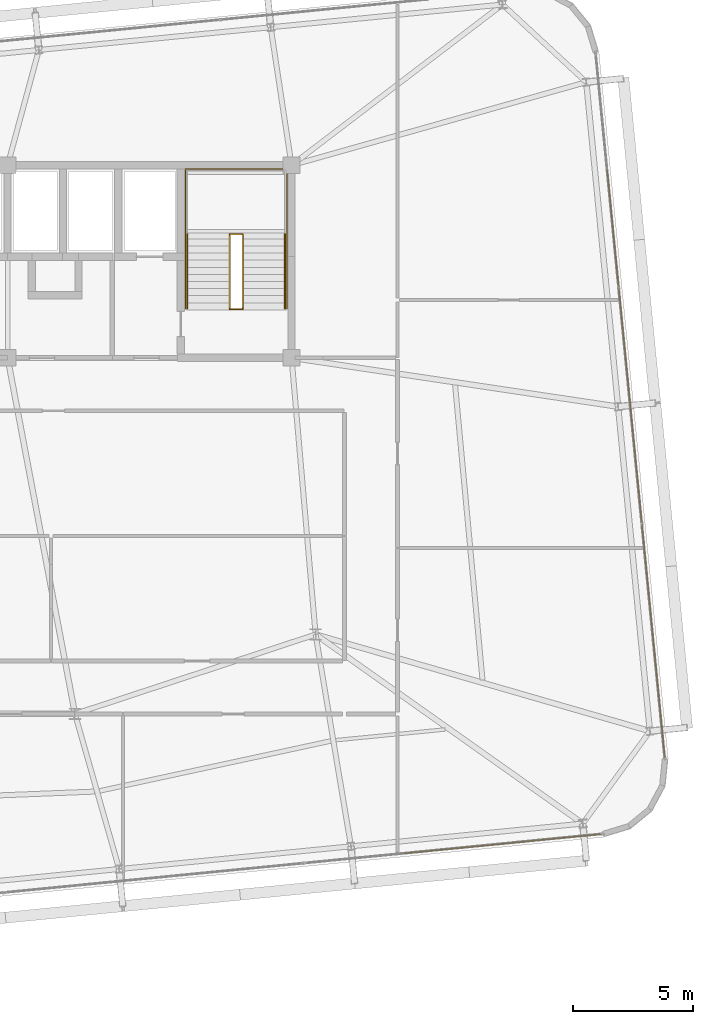
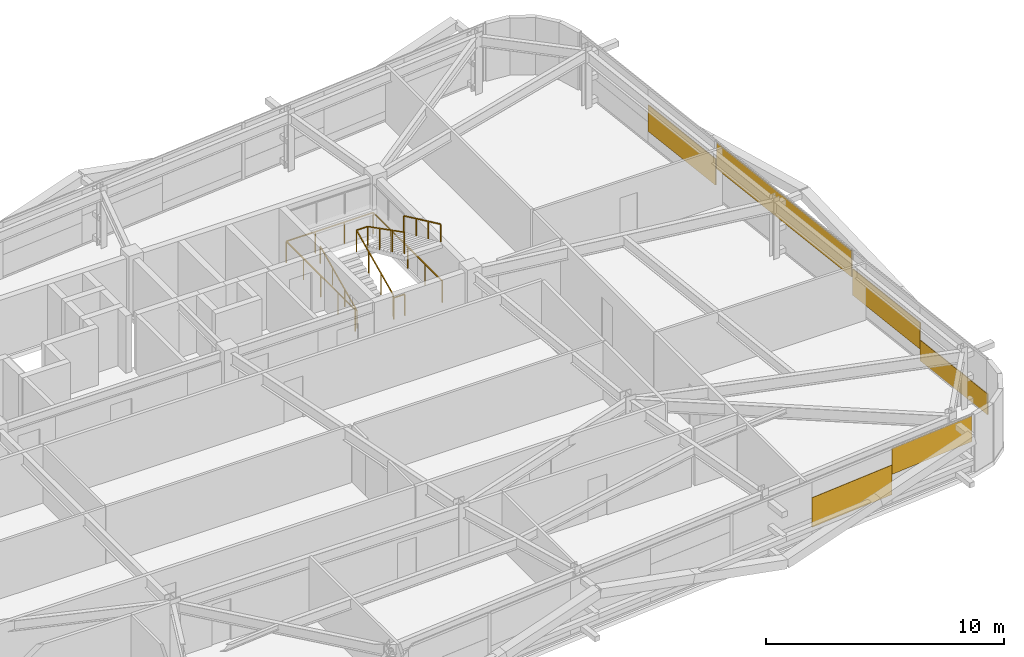
# One storey, part 46 of 47: 6 coverings, 5 railings.
"""IFC4 building model written with IfcOpenShell, lengths in metres."""

from ifc_helpers import new_model, si_unit, direction, frame, origin, origin_2d, place, context, subcontext, project, spatial, rectangle, extrude, source, transform, mapped, material, layer, layer_set, type_object, element, save


model = new_model("IFC4")

# Units and contexts
model_context = context("Model", 3, precision=1e-05, world=origin(), true_north=direction((0.0, 1.0)))
body_context = subcontext(model_context, "Body", "Model", "MODEL_VIEW")
ifc_project = project(units=[si_unit("LENGTHUNIT", "METRE"), si_unit("AREAUNIT", "SQUARE_METRE"), si_unit("VOLUMEUNIT", "CUBIC_METRE"), si_unit("PLANEANGLEUNIT", "RADIAN"), si_unit("MASSUNIT", "GRAM", prefix="KILO")], contexts=[model_context])

# Site, building, storey
site_placement = place(None, origin())
site = spatial("IfcSite", under=ifc_project, at=site_placement, CompositionType="ELEMENT")
building_placement = place(site_placement, origin())
building = spatial("IfcBuilding", under=site, at=building_placement, Name="Taldren Reach Tower", CompositionType="ELEMENT")
storey_placement = place(building_placement, frame((0.0, 0.0, 87.14990234375)))
storey = spatial("IfcBuildingStorey", under=building, at=storey_placement, Name="L26", CompositionType="ELEMENT", Elevation=87.14990234375)

# Railings
ifc_material_1 = material(Name="Steel Gr 350 (C350L0)", Category="steel")
ifc_layer_1 = layer(ifc_material_1, 0.050048828125)
ifc_layer_set_1 = layer_set([ifc_layer_1], Name="Steel Gr 350 (C350L0)")
railing_type_1 = type_object("IfcRailingType", Name="RL-STAIR-GR", PredefinedType="GUARDRAIL", material=ifc_layer_set_1)
railing_1_placement = place(storey_placement, frame((48.429931640625, 26.050048828125, 0.13134765625)))
element("IfcRailing", 1, at=railing_1_placement, inside=storey, type_object=railing_type_1, Name="Stairwell inner guard ST2-L26", PredefinedType="GUARDRAIL", context=body_context, shape_type="SweptSolid", body=[
    extrude(rectangle(XDim=0.047852, YDim=0.047852, at=origin_2d()), frame((0.0, 0.0, 1.09619140625), z_axis=(0.0, 0.905710134349, 0.423897573167), x_axis=(-1.0, 0.0, 0.0)), (0.0, 0.0, 1.0), 3.406005859375),
    extrude(rectangle(XDim=0.047852, YDim=0.047852, at=origin_2d()), frame((0.0, 3.0849609375, 2.5400390625), z_axis=(1.0, 0.0, 0.0), x_axis=(0.0, 1.0, 0.0)), (0.0, 0.0, 1.0), 0.5400390625),
    extrude(rectangle(XDim=0.047852, YDim=0.047852, at=origin_2d()), frame((0.5400390625, 3.0849609375, 2.5400390625), z_axis=(0.0, -0.890645957773, 0.45469745755), x_axis=(1.0, 0.0, 0.0)), (0.0, 0.0, 1.0), 3.463623046875),
    extrude(rectangle(XDim=0.041992, YDim=0.041992, at=origin_2d()), origin(), (0.0, 0.0, 1.0), 1.072021484375),
    extrude(rectangle(XDim=0.041992, YDim=0.041992, at=origin_2d()), frame((0.0, 1.0283203125, 0.481201171875)), (0.0, 0.0, 1.0), 1.072021484375),
    extrude(rectangle(XDim=0.041992, YDim=0.041992, at=origin_2d()), frame((0.0, 2.056640625, 0.962646484375)), (0.0, 0.0, 1.0), 1.072021484375),
    extrude(rectangle(XDim=0.041992, YDim=0.041992, at=origin_2d()), frame((0.0, 3.0849609375, 1.44384765625)), (0.0, 0.0, 1.0), 1.072021484375),
    extrude(rectangle(XDim=0.041992, YDim=0.041992, at=origin_2d()), frame((0.5400390625, 3.0849609375, 1.44384765625)), (0.0, 0.0, 1.0), 1.072021484375),
    extrude(rectangle(XDim=0.041992, YDim=0.041992, at=origin_2d()), frame((0.5400390625, 2.056640625, 1.96875)), (0.0, 0.0, 1.0), 1.072021484375),
    extrude(rectangle(XDim=0.041992, YDim=0.041992, at=origin_2d()), frame((0.5400390625, 1.0283203125, 2.493896484375)), (0.0, 0.0, 1.0), 1.072021484375),
    extrude(rectangle(XDim=0.041992, YDim=0.041992, at=origin_2d()), frame((0.5400390625, 0.0, 3.018798828125)), (0.0, 0.0, 1.0), 1.072021484375),
])
railing_2_placement = place(storey_placement, frame((48.429931640625, 26.010009765625, 0.0)))
element("IfcRailing", 2, at=railing_2_placement, inside=storey, type_object=railing_type_1, Name="Stairwell landing slot guard ST2-L26", PredefinedType="GUARDRAIL", context=body_context, shape_type="SweptSolid", body=[
    extrude(rectangle(XDim=0.047852, YDim=0.047852, at=origin_2d()), frame((0.0, 0.0, 1.09619140625), z_axis=(1.0, 0.0, 0.0), x_axis=(0.0, 1.0, 0.0)), (0.0, 0.0, 1.0), 0.5400390625),
    extrude(rectangle(XDim=0.041992, YDim=0.041992, at=origin_2d()), origin(), (0.0, 0.0, 1.0), 1.072021484375),
    extrude(rectangle(XDim=0.041992, YDim=0.041992, at=origin_2d()), frame((0.5400390625, 0.0, 0.0)), (0.0, 0.0, 1.0), 1.072021484375),
])
railing_3_placement = place(storey_placement, frame((46.590087890625, 26.050048828125, 0.0)))
element("IfcRailing", 3, at=railing_3_placement, inside=storey, type_object=railing_type_1, Name="Stairwell floor opening guard ST2-L26", PredefinedType="GUARDRAIL", context=body_context, shape_type="SweptSolid", body=[
    extrude(rectangle(XDim=0.047852, YDim=0.047852, at=origin_2d()), frame((0.0, 0.0, 1.09619140625), z_axis=(0.0, 1.0, 0.0), x_axis=(-1.0, 0.0, 0.0)), (0.0, 0.0, 1.0), 5.800048828125),
    extrude(rectangle(XDim=0.047852, YDim=0.047852, at=origin_2d()), frame((0.0, 5.800048828125, 1.09619140625), z_axis=(1.0, 0.0, 0.0), x_axis=(0.0, 1.0, 0.0)), (0.0, 0.0, 1.0), 4.219970703125),
    extrude(rectangle(XDim=0.047852, YDim=0.047852, at=origin_2d()), frame((4.219970703125, 5.800048828125, 1.09619140625), z_axis=(0.0, -1.0, 0.0), x_axis=(1.0, 0.0, 0.0)), (0.0, 0.0, 1.0), 5.800048828125),
    extrude(rectangle(XDim=0.041992, YDim=0.041992, at=origin_2d()), origin(), (0.0, 0.0, 1.0), 1.072021484375),
    extrude(rectangle(XDim=0.041992, YDim=0.041992, at=origin_2d()), frame((0.0, 1.449951171875, 0.0)), (0.0, 0.0, 1.0), 1.072021484375),
    extrude(rectangle(XDim=0.041992, YDim=0.041992, at=origin_2d()), frame((0.0, 2.89990234375, 0.0)), (0.0, 0.0, 1.0), 1.072021484375),
    extrude(rectangle(XDim=0.041992, YDim=0.041992, at=origin_2d()), frame((0.0, 4.35009765625, 0.0)), (0.0, 0.0, 1.0), 1.072021484375),
    extrude(rectangle(XDim=0.041992, YDim=0.041992, at=origin_2d()), frame((0.0, 5.800048828125, 0.0)), (0.0, 0.0, 1.0), 1.072021484375),
    extrude(rectangle(XDim=0.041992, YDim=0.041992, at=origin_2d()), frame((1.40673828125, 5.800048828125, 0.0)), (0.0, 0.0, 1.0), 1.072021484375),
    extrude(rectangle(XDim=0.041992, YDim=0.041992, at=origin_2d()), frame((2.813232421875, 5.800048828125, 0.0)), (0.0, 0.0, 1.0), 1.072021484375),
    extrude(rectangle(XDim=0.041992, YDim=0.041992, at=origin_2d()), frame((4.219970703125, 5.800048828125, 0.0)), (0.0, 0.0, 1.0), 1.072021484375),
    extrude(rectangle(XDim=0.041992, YDim=0.041992, at=origin_2d()), frame((4.219970703125, 4.35009765625, 0.0)), (0.0, 0.0, 1.0), 1.072021484375),
    extrude(rectangle(XDim=0.041992, YDim=0.041992, at=origin_2d()), frame((4.219970703125, 2.89990234375, 0.0)), (0.0, 0.0, 1.0), 1.072021484375),
    extrude(rectangle(XDim=0.041992, YDim=0.041992, at=origin_2d()), frame((4.219970703125, 1.449951171875, 0.0)), (0.0, 0.0, 1.0), 1.072021484375),
    extrude(rectangle(XDim=0.041992, YDim=0.041992, at=origin_2d()), frame((4.219970703125, 0.0, 0.0)), (0.0, 0.0, 1.0), 1.072021484375),
])
ifc_material_2 = material(Name="Stainless Steel Gr 316", Category="steel")
ifc_layer_2 = layer(ifc_material_2, 0.048095703125)
ifc_layer_set_2 = layer_set([ifc_layer_2], Name="Stainless Steel Gr 316")
railing_type_2 = type_object("IfcRailingType", Name="RL-STAIR-HR", PredefinedType="HANDRAIL", material=ifc_layer_set_2)
railing_4_placement = place(storey_placement, frame((46.669921875, 26.050048828125, 0.13134765625)))
element("IfcRailing", 4, at=railing_4_placement, inside=storey, type_object=railing_type_2, Name="Stair flight handrail ST2-L26-1", PredefinedType="HANDRAIL", context=body_context, shape_type="SweptSolid", body=[
    extrude(rectangle(XDim=0.047852, YDim=0.047852, at=origin_2d()), frame((0.0, 0.0, 0.89599609375), z_axis=(0.0, 0.905710134349, 0.423897573167), x_axis=(-1.0, 0.0, 0.0)), (0.0, 0.0, 1.0), 3.406005859375),
    extrude(rectangle(XDim=0.041992, YDim=0.041992, at=origin_2d()), origin(), (0.0, 0.0, 1.0), 0.871826171875),
    extrude(rectangle(XDim=0.041992, YDim=0.041992, at=origin_2d()), frame((0.0, 1.0283203125, 0.481201171875)), (0.0, 0.0, 1.0), 0.871826171875),
    extrude(rectangle(XDim=0.041992, YDim=0.041992, at=origin_2d()), frame((0.0, 2.056640625, 0.962646484375)), (0.0, 0.0, 1.0), 0.871826171875),
    extrude(rectangle(XDim=0.041992, YDim=0.041992, at=origin_2d()), frame((0.0, 3.0849609375, 1.44384765625)), (0.0, 0.0, 1.0), 0.871826171875),
])
railing_5_placement = place(storey_placement, frame((50.72998046875, 29.135009765625, 1.706298828125)))
element("IfcRailing", 5, at=railing_5_placement, inside=storey, type_object=railing_type_2, Name="Stair flight handrail ST2-L26-2", PredefinedType="HANDRAIL", context=body_context, shape_type="SweptSolid", body=[
    extrude(rectangle(XDim=0.047852, YDim=0.047852, at=origin_2d()), frame((0.0, 0.0, 0.89599609375), z_axis=(0.0, -0.905710134349, 0.423897573167), x_axis=(1.0, 0.0, 0.0)), (0.0, 0.0, 1.0), 3.406005859375),
    extrude(rectangle(XDim=0.041992, YDim=0.041992, at=origin_2d()), origin(), (0.0, 0.0, 1.0), 0.871826171875),
    extrude(rectangle(XDim=0.041992, YDim=0.041992, at=origin_2d()), frame((0.0, -1.0283203125, 0.481201171875)), (0.0, 0.0, 1.0), 0.871826171875),
    extrude(rectangle(XDim=0.041992, YDim=0.041992, at=origin_2d()), frame((0.0, -2.056640625, 0.962646484375)), (0.0, 0.0, 1.0), 0.871826171875),
    extrude(rectangle(XDim=0.041992, YDim=0.041992, at=origin_2d()), frame((0.0, -3.0849609375, 1.44384765625)), (0.0, 0.0, 1.0), 0.871826171875),
])

# Coverings
ifc_material_3 = material(Name="Pale Champagne Fluoropolymer Aluminium Spandrel Cladding", Category="aluminium")
ifc_layer_3 = layer(ifc_material_3, 0.0439453125)
ifc_layer_set_3 = layer_set([ifc_layer_3], Name="Pale Champagne Fluoropolymer Aluminium Spandrel Cladding")
covering_type = type_object("IfcCoveringType", Name="CV-CLAD-044", PredefinedType="CLADDING", material=ifc_layer_set_3)
shared_shape_1 = source(origin(), body_context, "Body", "SweptSolid", [
    extrude(rectangle(XDim=4.13427734375, YDim=0.0439453125, at=origin_2d()), origin(), (0.0, 0.0, 1.0), 1.52197265625),
])
covering_1_placement = place(storey_placement, frame((57.712890625, 3.60205078125, 0.516845703125), z_axis=(0.0, 0.0, 1.0), x_axis=(0.995227390247, 0.097582999046, 0.0)))
element("IfcCovering", 6, at=covering_1_placement, inside=storey, type_object=covering_type, Name="Diagrid closure cladding strip CW-3 panel 4.1 2", PredefinedType="CLADDING", context=body_context, shape_type="MappedRepresentation", body=[
    mapped(shared_shape_1, transform((0.0, 0.0, 0.0), scale=1.0)),
])
shared_shape_2 = source(origin(), body_context, "Body", "SweptSolid", [
    extrude(rectangle(XDim=4.13427734375, YDim=0.0439453125, at=origin_2d()), origin(), (0.0, 0.0, 1.0), 1.320556640625),
])
covering_2_placement = place(storey_placement, frame((61.8271484375, 4.005615234375, 1.5546875), z_axis=(0.0, 0.0, 1.0), x_axis=(0.995227390247, 0.097582999046, 0.0)))
element("IfcCovering", 7, at=covering_2_placement, inside=storey, type_object=covering_type, Name="Diagrid closure cladding strip CW-3 panel 4.1 3", PredefinedType="CLADDING", context=body_context, shape_type="MappedRepresentation", body=[
    mapped(shared_shape_2, transform((0.0, 0.0, 0.0), scale=1.0)),
])
shared_shape_3 = source(origin(), body_context, "Body", "SweptSolid", [
    extrude(rectangle(XDim=4.867919921875, YDim=0.0439453125, at=origin_2d()), origin(), (0.0, 0.0, 1.0), 1.072998046875),
])
covering_3_placement = place(storey_placement, frame((66.2724609375, 9.826171875, 0.05517578125), z_axis=(0.0, 0.0, 1.0), x_axis=(-0.09758274098, 0.99522741555, 0.0)))
element("IfcCovering", 8, at=covering_3_placement, inside=storey, type_object=covering_type, Name="Diagrid closure cladding strip CW-3 panel 1.1 1", PredefinedType="CLADDING", context=body_context, shape_type="MappedRepresentation", body=[
    mapped(shared_shape_3, transform((0.0, 0.0, 0.0), scale=1.0)),
])
shared_shape_4 = source(origin(), body_context, "Body", "SweptSolid", [
    extrude(rectangle(XDim=4.867919921875, YDim=0.0439453125, at=origin_2d()), origin(), (0.0, 0.0, 1.0), 1.350341796875),
])
for number, where, z_axis, x_axis, name in (
    (9, (65.797607421875, 14.670654296875, 0.65087890625), (0.0, 0.0, 1.0), (-0.09758274098, 0.99522741555, 0.0), "Diagrid closure cladding strip CW-3 panel 1.1 2"),
    (10, (64.356689453125, 29.366455078125, 0.65087890625), (0.0, 0.0, 1.0), (-0.09758274098, 0.99522741555, 0.0), "Diagrid closure cladding strip CW-3 panel 3.1 1"),
):
    element("IfcCovering", number, at=place(storey_placement, frame(where, z_axis=z_axis, x_axis=x_axis)), inside=storey, type_object=covering_type, Name=name, PredefinedType="CLADDING", context=body_context, shape_type="MappedRepresentation", body=[
        mapped(shared_shape_4, transform((0.0, 0.0, 0.0), scale=1.0)),
    ])
shared_shape_5 = source(origin(), body_context, "Body", "SweptSolid", [
    extrude(rectangle(XDim=9.768310546875, YDim=0.0439453125, at=origin_2d()), origin(), (0.0, 0.0, 1.0), 1.339599609375),
])
covering_4_placement = place(storey_placement, frame((65.0771484375, 22.0185546875, 1.53564453125), z_axis=(0.0, 0.0, 1.0), x_axis=(-0.09758274098, 0.99522741555, 0.0)))
element("IfcCovering", 11, at=covering_4_placement, inside=storey, type_object=covering_type, Name="Diagrid closure cladding strip CW-3 panel 2.1 1", PredefinedType="CLADDING", context=body_context, shape_type="MappedRepresentation", body=[
    mapped(shared_shape_5, transform((0.0, 0.0, 0.0), scale=1.0)),
])

save(model, "model.ifc")
